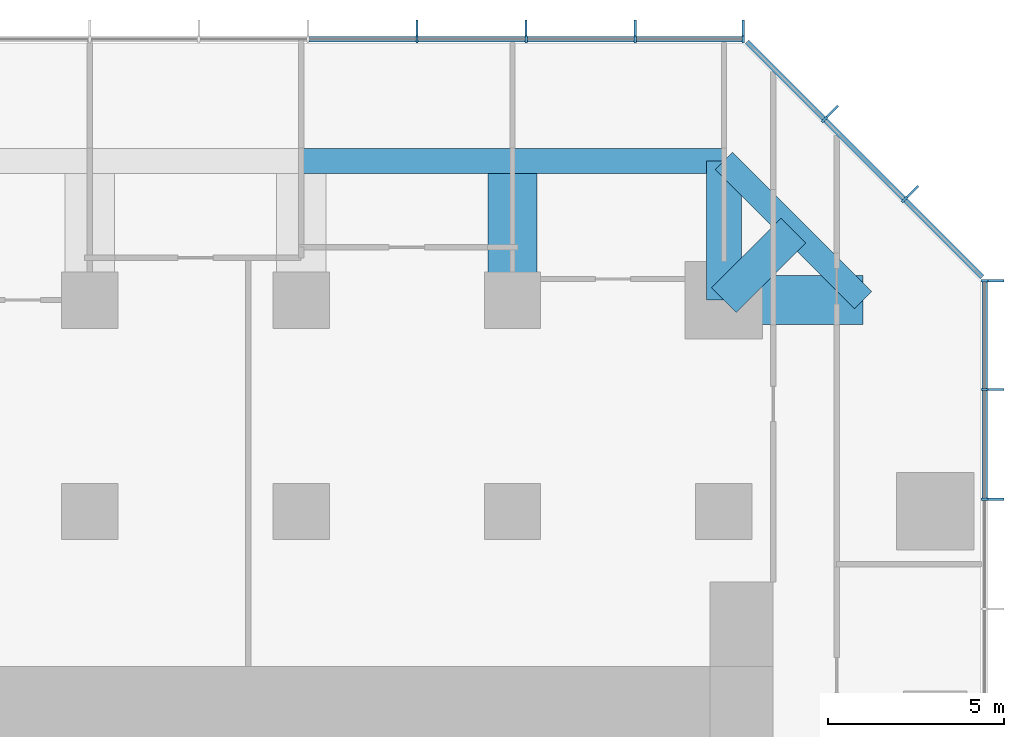
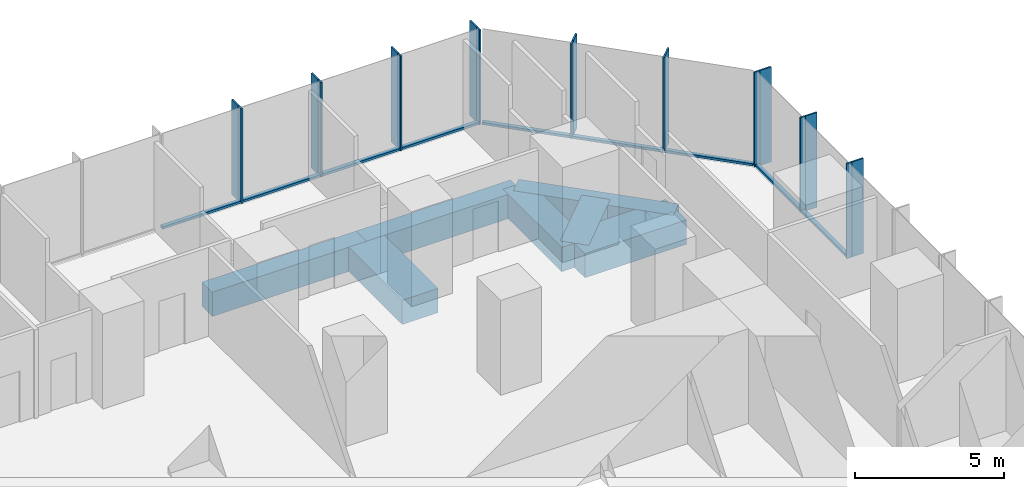
# One storey, part 6 of 12: 27 members, 7 beams, 3 elements without a shape of their own.
"""IFC4 building model written with IfcOpenShell, lengths in metres."""

from ifc_helpers import new_model, si_unit, direction, frame, origin, origin_2d, place, context, subcontext, project, spatial, rectangle, extrude, material, layer, layer_set, material_profile, profile_set, type_object, element, aggregate, save


model = new_model("IFC4")

# Units and contexts
model_context = context("Model", 3, precision=1e-05, world=origin(), true_north=direction((0.0, 1.0)))
body_context = subcontext(model_context, "Body", "Model", "MODEL_VIEW")
ifc_project = project(units=[si_unit("LENGTHUNIT", "METRE"), si_unit("AREAUNIT", "SQUARE_METRE"), si_unit("VOLUMEUNIT", "CUBIC_METRE"), si_unit("PLANEANGLEUNIT", "RADIAN"), si_unit("MASSUNIT", "GRAM", prefix="KILO")], contexts=[model_context])

# Site, building, storey
site_placement = place(None, origin())
site = spatial("IfcSite", under=ifc_project, at=site_placement, CompositionType="ELEMENT")
building_placement = place(site_placement, origin())
building = spatial("IfcBuilding", under=site, at=building_placement, Name="Highveld Stack Headquarters", CompositionType="ELEMENT")
storey_placement = place(building_placement, frame((0.0, 0.0, 101.60009765625)))
storey = spatial("IfcBuildingStorey", under=building, at=storey_placement, Name="L24", CompositionType="ELEMENT", Elevation=101.60009765625)

# Beams
ifc_material_1 = material(Name="Concrete C60/75", Category="concrete")
ifc_material_profile_1 = material_profile(ifc_material_1, rectangle(XDim=1.0, YDim=1.0, at=origin_2d()), Name="RC 1000x1000")
ifc_profile_set_1 = profile_set([ifc_material_profile_1], Name="Concrete C60/75")
beam_type_1 = type_object("IfcBeamType", Name="CANTILEVER RIB RC 1000x1000", PredefinedType="USERDEFINED", material=ifc_profile_set_1)
beam_1_placement = place(storey_placement, frame((18.0, 24.0, -0.75), z_axis=(0.0, 1.0, 0.0), x_axis=(-1.0, 0.0, 0.0)))
element("IfcBeam", 1, at=beam_1_placement, inside=storey, type_object=beam_type_1, Name="Cantilever rib 9/J L24", ObjectType="CANTILEVER RIB", PredefinedType="USERDEFINED", context=body_context, shape_type="SweptSolid", body=[
    extrude(rectangle(XDim=1.0, YDim=1.0, at=origin_2d()), origin(), (0.0, 0.0, 1.0), 3.949951171875),
])
beam_2_placement = place(storey_placement, frame((18.0, 24.0, -0.75), z_axis=(0.707106781187, 0.707106781187, 0.0), x_axis=(-0.707106781187, 0.707106781187, 0.0)))
element("IfcBeam", 2, at=beam_2_placement, inside=storey, type_object=beam_type_1, Name="Cantilever rib 9/J L24", ObjectType="CANTILEVER RIB", PredefinedType="USERDEFINED", context=body_context, shape_type="SweptSolid", body=[
    extrude(rectangle(XDim=1.0, YDim=1.0, at=origin_2d()), origin(), (0.0, 0.0, 1.0), 2.793212890625),
])
ifc_material_2 = material(Name="Concrete C60/75", Category="concrete")
ifc_material_profile_2 = material_profile(ifc_material_2, rectangle(XDim=1.39990234375, YDim=1.0, at=origin_2d()), Name="RC 1400x1000")
ifc_profile_set_2 = profile_set([ifc_material_profile_2], Name="Concrete C60/75")
beam_type_2 = type_object("IfcBeamType", Name="CANTILEVER RIB RC 1400x1000", PredefinedType="USERDEFINED", material=ifc_profile_set_2)
for number, where, z_axis, x_axis, name in (
    (3, (12.0, 24.0, -0.75), (0.0, 1.0, 0.0), (-1.0, 0.0, 0.0), "Cantilever rib 8/J L24"),
    (4, (18.0, 24.0, -0.75), (1.0, 0.0, 0.0), (0.0, 1.0, 0.0), "Cantilever rib 9/J L24"),
):
    element("IfcBeam", number, at=place(storey_placement, frame(where, z_axis=z_axis, x_axis=x_axis)), inside=storey, type_object=beam_type_2, Name=name, ObjectType="CANTILEVER RIB", PredefinedType="USERDEFINED", context=body_context, shape_type="SweptSolid", body=[
        extrude(rectangle(XDim=1.39990234375, YDim=1.0, at=origin_2d()), origin(), (0.0, 0.0, 1.0), 3.949951171875),
    ])

# Curtain wall, members
ifc_material_3 = material(Name="Aluminium bronze anodised", Category="aluminium")
ifc_layer_1 = layer(ifc_material_3, 0.199951171875)
ifc_layer_set_1 = layer_set([ifc_layer_1], Name="Aluminium bronze anodised")
curtain_wall_type_1 = type_object("IfcCurtainWallType", Name="CW1 TOWER UNITISED CURTAIN WALL", PredefinedType="NOTDEFINED", material=ifc_layer_set_1)
curtain_wall_1_placement = place(storey_placement, origin())
curtain_wall_1 = element("IfcCurtainWall", 5, at=curtain_wall_1_placement, inside=storey, type_object=curtain_wall_type_1, Name="Curtain wall CW1 L24 E", PredefinedType="NOTDEFINED")
ifc_material_4 = material(Name="Aluminium bronze anodised", Category="aluminium")
ifc_material_profile_3 = material_profile(ifc_material_4, rectangle(XDim=0.449951171875, YDim=0.06005859375, at=origin_2d()), Name="FIN 450x60")
ifc_profile_set_3 = profile_set([ifc_material_profile_3], Name="Aluminium bronze anodised")
member_type_1 = type_object("IfcMemberType", Name="CW1 BRONZE FIN 450x60", PredefinedType="USERDEFINED", material=ifc_profile_set_3)
member_1_placement = place(storey_placement, frame((25.72509765625, 18.347900390625, 0.0), z_axis=(0.0, 0.0, 1.0), x_axis=(-1.0, 0.0, 0.0)))
member_1 = element("IfcMember", 6, at=member_1_placement, type_object=member_type_1, Name="CW1 fin L24 9", ObjectType="FIN", PredefinedType="USERDEFINED", context=body_context, shape_type="SweptSolid", body=[
    extrude(rectangle(XDim=0.449951171875, YDim=0.06005859375, at=origin_2d()), origin(), (0.0, 0.0, 1.0), 3.89990234375),
])
member_2_placement = place(storey_placement, frame((25.72509765625, 21.4638671875, 0.0), z_axis=(0.0, 0.0, 1.0), x_axis=(-1.0, 0.0, 0.0)))
member_2 = element("IfcMember", 7, at=member_2_placement, type_object=member_type_1, Name="CW1 fin L24 10", ObjectType="FIN", PredefinedType="USERDEFINED", context=body_context, shape_type="SweptSolid", body=[
    extrude(rectangle(XDim=0.449951171875, YDim=0.06005859375, at=origin_2d()), origin(), (0.0, 0.0, 1.0), 3.89990234375),
])
member_3_placement = place(storey_placement, frame((25.72509765625, 24.54736328125, 0.0), z_axis=(0.0, 0.0, 1.0), x_axis=(-1.0, 0.0, 0.0)))
member_3 = element("IfcMember", 8, at=member_3_placement, type_object=member_type_1, Name="CW1 fin L24 11", ObjectType="FIN", PredefinedType="USERDEFINED", context=body_context, shape_type="SweptSolid", body=[
    extrude(rectangle(XDim=0.449951171875, YDim=0.06005859375, at=origin_2d()), origin(), (0.0, 0.0, 1.0), 3.89990234375),
])

curtain_wall_2_placement = place(storey_placement, origin())
curtain_wall_2 = element("IfcCurtainWall", 9, at=curtain_wall_2_placement, inside=storey, type_object=curtain_wall_type_1, Name="Curtain wall CW1 L24 N", PredefinedType="NOTDEFINED")
member_4_placement = place(storey_placement, frame((18.54736328125, 31.72509765625, 0.0), z_axis=(0.0, 0.0, 1.0), x_axis=(0.0, -1.0, 0.0)))
member_4 = element("IfcMember", 10, at=member_4_placement, type_object=member_type_1, Name="CW1 fin L24 1", ObjectType="FIN", PredefinedType="USERDEFINED", context=body_context, shape_type="SweptSolid", body=[
    extrude(rectangle(XDim=0.449951171875, YDim=0.06005859375, at=origin_2d()), origin(), (0.0, 0.0, 1.0), 3.89990234375),
])
member_5_placement = place(storey_placement, frame((15.483154296875, 31.72509765625, 0.0), z_axis=(0.0, 0.0, 1.0), x_axis=(0.0, -1.0, 0.0)))
member_5 = element("IfcMember", 11, at=member_5_placement, type_object=member_type_1, Name="CW1 fin L24 2", ObjectType="FIN", PredefinedType="USERDEFINED", context=body_context, shape_type="SweptSolid", body=[
    extrude(rectangle(XDim=0.449951171875, YDim=0.06005859375, at=origin_2d()), origin(), (0.0, 0.0, 1.0), 3.89990234375),
])
member_6_placement = place(storey_placement, frame((12.38671875, 31.72509765625, 0.0), z_axis=(0.0, 0.0, 1.0), x_axis=(0.0, -1.0, 0.0)))
member_6 = element("IfcMember", 12, at=member_6_placement, type_object=member_type_1, Name="CW1 fin L24 3", ObjectType="FIN", PredefinedType="USERDEFINED", context=body_context, shape_type="SweptSolid", body=[
    extrude(rectangle(XDim=0.449951171875, YDim=0.06005859375, at=origin_2d()), origin(), (0.0, 0.0, 1.0), 3.89990234375),
])
member_7_placement = place(storey_placement, frame((9.289794921875, 31.72509765625, 0.0), z_axis=(0.0, 0.0, 1.0), x_axis=(0.0, -1.0, 0.0)))
member_7 = element("IfcMember", 13, at=member_7_placement, type_object=member_type_1, Name="CW1 fin L24 4", ObjectType="FIN", PredefinedType="USERDEFINED", context=body_context, shape_type="SweptSolid", body=[
    extrude(rectangle(XDim=0.449951171875, YDim=0.06005859375, at=origin_2d()), origin(), (0.0, 0.0, 1.0), 3.89990234375),
])

# Member
ifc_material_5 = material(Name="Aluminium bronze anodised", Category="aluminium")
ifc_material_profile_4 = material_profile(ifc_material_5, rectangle(XDim=0.199951171875, YDim=0.06494140625, at=origin_2d()), Name="CW1 MULLION 65x200")
ifc_profile_set_4 = profile_set([ifc_material_profile_4], Name="Aluminium bronze anodised")
member_type_2 = type_object("IfcMemberType", Name="CW1 MULLION 65x200", PredefinedType="MULLION", material=ifc_profile_set_4)
member_8_placement = place(storey_placement, frame((25.39990234375, 18.347900390625, 0.0), z_axis=(0.0, 0.0, 1.0), x_axis=(-1.0, 0.0, 0.0)))
member_8 = element("IfcMember", 14, at=member_8_placement, type_object=member_type_2, Name="CW1 mullion L24 9", PredefinedType="MULLION", context=body_context, shape_type="SweptSolid", body=[
    extrude(rectangle(XDim=0.199951171875, YDim=0.06494140625, at=origin_2d()), origin(), (0.0, 0.0, 1.0), 3.89990234375),
])

member_9_placement = place(storey_placement, frame((25.39990234375, 21.4638671875, 0.0), z_axis=(0.0, 0.0, 1.0), x_axis=(-1.0, 0.0, 0.0)))
member_9 = element("IfcMember", 15, at=member_9_placement, type_object=member_type_2, Name="CW1 mullion L24 10", PredefinedType="MULLION", context=body_context, shape_type="SweptSolid", body=[
    extrude(rectangle(XDim=0.199951171875, YDim=0.06494140625, at=origin_2d()), origin(), (0.0, 0.0, 1.0), 3.89990234375),
])

member_10_placement = place(storey_placement, frame((25.39990234375, 24.54736328125, 0.0), z_axis=(0.0, 0.0, 1.0), x_axis=(-1.0, 0.0, 0.0)))
member_10 = element("IfcMember", 16, at=member_10_placement, type_object=member_type_2, Name="CW1 mullion L24 11", PredefinedType="MULLION", context=body_context, shape_type="SweptSolid", body=[
    extrude(rectangle(XDim=0.199951171875, YDim=0.06494140625, at=origin_2d()), origin(), (0.0, 0.0, 1.0), 3.89990234375),
])

member_11_placement = place(storey_placement, frame((18.54736328125, 31.39990234375, 0.0), z_axis=(0.0, 0.0, 1.0), x_axis=(0.0, -1.0, 0.0)))
member_11 = element("IfcMember", 17, at=member_11_placement, type_object=member_type_2, Name="CW1 mullion L24 1", PredefinedType="MULLION", context=body_context, shape_type="SweptSolid", body=[
    extrude(rectangle(XDim=0.199951171875, YDim=0.06494140625, at=origin_2d()), origin(), (0.0, 0.0, 1.0), 3.89990234375),
])

member_12_placement = place(storey_placement, frame((15.483154296875, 31.39990234375, 0.0), z_axis=(0.0, 0.0, 1.0), x_axis=(0.0, -1.0, 0.0)))
member_12 = element("IfcMember", 18, at=member_12_placement, type_object=member_type_2, Name="CW1 mullion L24 2", PredefinedType="MULLION", context=body_context, shape_type="SweptSolid", body=[
    extrude(rectangle(XDim=0.199951171875, YDim=0.06494140625, at=origin_2d()), origin(), (0.0, 0.0, 1.0), 3.89990234375),
])

member_13_placement = place(storey_placement, frame((12.38671875, 31.39990234375, 0.0), z_axis=(0.0, 0.0, 1.0), x_axis=(0.0, -1.0, 0.0)))
member_13 = element("IfcMember", 19, at=member_13_placement, type_object=member_type_2, Name="CW1 mullion L24 3", PredefinedType="MULLION", context=body_context, shape_type="SweptSolid", body=[
    extrude(rectangle(XDim=0.199951171875, YDim=0.06494140625, at=origin_2d()), origin(), (0.0, 0.0, 1.0), 3.89990234375),
])

member_14_placement = place(storey_placement, frame((9.289794921875, 31.39990234375, 0.0), z_axis=(0.0, 0.0, 1.0), x_axis=(0.0, -1.0, 0.0)))
member_14 = element("IfcMember", 20, at=member_14_placement, type_object=member_type_2, Name="CW1 mullion L24 4", PredefinedType="MULLION", context=body_context, shape_type="SweptSolid", body=[
    extrude(rectangle(XDim=0.199951171875, YDim=0.06494140625, at=origin_2d()), origin(), (0.0, 0.0, 1.0), 3.89990234375),
])

ifc_material_6 = material(Name="Aluminium bronze anodised", Category="aluminium")
ifc_material_profile_5 = material_profile(ifc_material_6, rectangle(XDim=0.14990234375, YDim=0.10009765625, at=origin_2d()), Name="CW1 TRANSOM 150x100")
ifc_profile_set_5 = profile_set([ifc_material_profile_5], Name="Aluminium bronze anodised")
member_type_3 = type_object("IfcMemberType", Name="CW1 STACK TRANSOM 150x100", PredefinedType="USERDEFINED", material=ifc_profile_set_5)
member_15_placement = place(storey_placement, frame((25.39990234375, 18.38037109375, 0.0498046875), z_axis=(0.0, 1.0, 0.0), x_axis=(-1.0, 0.0, 0.0)))
member_15 = element("IfcMember", 21, at=member_15_placement, type_object=member_type_3, Name="CW1 transom L24 9.1", ObjectType="TRANSOM", PredefinedType="USERDEFINED", context=body_context, shape_type="SweptSolid", body=[
    extrude(rectangle(XDim=0.14990234375, YDim=0.10009765625, at=origin_2d()), origin(), (0.0, 0.0, 1.0), 3.051025390625),
])

member_16_placement = place(storey_placement, frame((25.39990234375, 21.496337890625, 0.0498046875), z_axis=(0.0, 1.0, 0.0), x_axis=(-1.0, 0.0, 0.0)))
member_16 = element("IfcMember", 22, at=member_16_placement, type_object=member_type_3, Name="CW1 transom L24 10.1", ObjectType="TRANSOM", PredefinedType="USERDEFINED", context=body_context, shape_type="SweptSolid", body=[
    extrude(rectangle(XDim=0.14990234375, YDim=0.10009765625, at=origin_2d()), origin(), (0.0, 0.0, 1.0), 3.0185546875),
])

aggregate(curtain_wall_1, [member_8, member_1, member_9, member_2, member_10, member_3, member_15, member_16])

member_17_placement = place(storey_placement, frame((18.514892578125, 31.39990234375, 0.0498046875), z_axis=(-1.0, 0.0, 0.0), x_axis=(0.0, -1.0, 0.0)))
member_17 = element("IfcMember", 23, at=member_17_placement, type_object=member_type_3, Name="CW1 transom L24 1.1", ObjectType="TRANSOM", PredefinedType="USERDEFINED", context=body_context, shape_type="SweptSolid", body=[
    extrude(rectangle(XDim=0.14990234375, YDim=0.10009765625, at=origin_2d()), origin(), (0.0, 0.0, 1.0), 2.999267578125),
])

member_18_placement = place(storey_placement, frame((15.45068359375, 31.39990234375, 0.0498046875), z_axis=(-1.0, 0.0, 0.0), x_axis=(0.0, -1.0, 0.0)))
member_18 = element("IfcMember", 24, at=member_18_placement, type_object=member_type_3, Name="CW1 transom L24 2.1", ObjectType="TRANSOM", PredefinedType="USERDEFINED", context=body_context, shape_type="SweptSolid", body=[
    extrude(rectangle(XDim=0.14990234375, YDim=0.10009765625, at=origin_2d()), origin(), (0.0, 0.0, 1.0), 3.031494140625),
])

member_19_placement = place(storey_placement, frame((12.35400390625, 31.39990234375, 0.0498046875), z_axis=(-1.0, 0.0, 0.0), x_axis=(0.0, -1.0, 0.0)))
member_19 = element("IfcMember", 25, at=member_19_placement, type_object=member_type_3, Name="CW1 transom L24 3.1", ObjectType="TRANSOM", PredefinedType="USERDEFINED", context=body_context, shape_type="SweptSolid", body=[
    extrude(rectangle(XDim=0.14990234375, YDim=0.10009765625, at=origin_2d()), origin(), (0.0, 0.0, 1.0), 3.031494140625),
])

member_20_placement = place(storey_placement, frame((9.25732421875, 31.39990234375, 0.0498046875), z_axis=(-1.0, 0.0, 0.0), x_axis=(0.0, -1.0, 0.0)))
member_20 = element("IfcMember", 26, at=member_20_placement, type_object=member_type_3, Name="CW1 transom L24 4.1", ObjectType="TRANSOM", PredefinedType="USERDEFINED", context=body_context, shape_type="SweptSolid", body=[
    extrude(rectangle(XDim=0.14990234375, YDim=0.10009765625, at=origin_2d()), origin(), (0.0, 0.0, 1.0), 3.031494140625),
])

aggregate(curtain_wall_2, [member_11, member_4, member_12, member_5, member_13, member_6, member_14, member_7, member_17, member_18, member_19, member_20])

# Curtain wall, members
ifc_material_7 = material(Name="Aluminium bronze anodised", Category="aluminium")
ifc_layer_2 = layer(ifc_material_7, 0.199951171875)
ifc_layer_set_2 = layer_set([ifc_layer_2], Name="Aluminium bronze anodised")
curtain_wall_type_2 = type_object("IfcCurtainWallType", Name="CW2 TOWER CHAMFER UNITISED CURTAIN WALL", PredefinedType="NOTDEFINED", material=ifc_layer_set_2)
curtain_wall_3_placement = place(storey_placement, origin())
curtain_wall_3 = element("IfcCurtainWall", 27, at=curtain_wall_3_placement, inside=storey, type_object=curtain_wall_type_2, Name="Curtain wall CW2 L24 NE", PredefinedType="NOTDEFINED")
ifc_material_8 = material(Name="Aluminium bronze anodised", Category="aluminium")
ifc_material_profile_6 = material_profile(ifc_material_8, rectangle(XDim=0.449951171875, YDim=0.06005859375, at=origin_2d()), Name="FIN 450x60")
ifc_profile_set_6 = profile_set([ifc_material_profile_6], Name="Aluminium bronze anodised")
member_type_4 = type_object("IfcMemberType", Name="CW2 BRONZE FIN 450x60", PredefinedType="USERDEFINED", material=ifc_profile_set_6)
member_21_placement = place(storey_placement, frame((23.3564453125, 27.0830078125, 0.0), z_axis=(0.0, 0.0, 1.0), x_axis=(-0.707106781187, -0.707106781187, 0.0)))
member_21 = element("IfcMember", 28, at=member_21_placement, type_object=member_type_4, Name="CW2 fin L24 1", ObjectType="FIN", PredefinedType="USERDEFINED", context=body_context, shape_type="SweptSolid", body=[
    extrude(rectangle(XDim=0.449951171875, YDim=0.06005859375, at=origin_2d()), origin(), (0.0, 0.0, 1.0), 3.89990234375),
])
member_22_placement = place(storey_placement, frame((21.0830078125, 29.3564453125, 0.0), z_axis=(0.0, 0.0, 1.0), x_axis=(-0.707106781187, -0.707106781187, 0.0)))
member_22 = element("IfcMember", 29, at=member_22_placement, type_object=member_type_4, Name="CW2 fin L24 2", ObjectType="FIN", PredefinedType="USERDEFINED", context=body_context, shape_type="SweptSolid", body=[
    extrude(rectangle(XDim=0.449951171875, YDim=0.06005859375, at=origin_2d()), origin(), (0.0, 0.0, 1.0), 3.89990234375),
])
ifc_material_9 = material(Name="Aluminium bronze anodised", Category="aluminium")
ifc_material_profile_7 = material_profile(ifc_material_9, rectangle(XDim=0.199951171875, YDim=0.06494140625, at=origin_2d()), Name="CW2 MULLION 65x200")
ifc_profile_set_7 = profile_set([ifc_material_profile_7], Name="Aluminium bronze anodised")
member_type_5 = type_object("IfcMemberType", Name="CW2 MULLION 65x200", PredefinedType="MULLION", material=ifc_profile_set_7)
member_23_placement = place(storey_placement, frame((23.126708984375, 26.853271484375, 0.0), z_axis=(0.0, 0.0, 1.0), x_axis=(-0.707106781187, -0.707106781187, 0.0)))
member_23 = element("IfcMember", 30, at=member_23_placement, type_object=member_type_5, Name="CW2 mullion L24 1", PredefinedType="MULLION", context=body_context, shape_type="SweptSolid", body=[
    extrude(rectangle(XDim=0.199951171875, YDim=0.06494140625, at=origin_2d()), origin(), (0.0, 0.0, 1.0), 3.89990234375),
])
member_24_placement = place(storey_placement, frame((20.853271484375, 29.126708984375, 0.0), z_axis=(0.0, 0.0, 1.0), x_axis=(-0.707106781187, -0.707106781187, 0.0)))
member_24 = element("IfcMember", 31, at=member_24_placement, type_object=member_type_5, Name="CW2 mullion L24 2", PredefinedType="MULLION", context=body_context, shape_type="SweptSolid", body=[
    extrude(rectangle(XDim=0.199951171875, YDim=0.06494140625, at=origin_2d()), origin(), (0.0, 0.0, 1.0), 3.89990234375),
])
ifc_material_10 = material(Name="Aluminium bronze anodised", Category="aluminium")
ifc_material_profile_8 = material_profile(ifc_material_10, rectangle(XDim=0.14990234375, YDim=0.10009765625, at=origin_2d()), Name="CW2 TRANSOM 150x100")
ifc_profile_set_8 = profile_set([ifc_material_profile_8], Name="Aluminium bronze anodised")
member_type_6 = type_object("IfcMemberType", Name="CW2 STACK TRANSOM 150x100", PredefinedType="USERDEFINED", material=ifc_profile_set_8)
member_25_placement = place(storey_placement, frame((25.329345703125, 24.650634765625, 0.0498046875), z_axis=(-0.707106781187, 0.707106781187, 0.0), x_axis=(-0.707106781187, -0.707106781187, 0.0)))
member_25 = element("IfcMember", 32, at=member_25_placement, type_object=member_type_6, Name="CW2 transom L24 1.1", ObjectType="TRANSOM", PredefinedType="USERDEFINED", context=body_context, shape_type="SweptSolid", body=[
    extrude(rectangle(XDim=0.14990234375, YDim=0.10009765625, at=origin_2d()), origin(), (0.0, 0.0, 1.0), 3.08251953125),
])
member_26_placement = place(storey_placement, frame((23.103759765625, 26.876220703125, 0.0498046875), z_axis=(-0.707106781187, 0.707106781187, 0.0), x_axis=(-0.707106781187, -0.707106781187, 0.0)))
member_26 = element("IfcMember", 33, at=member_26_placement, type_object=member_type_6, Name="CW2 transom L24 2.1", ObjectType="TRANSOM", PredefinedType="USERDEFINED", context=body_context, shape_type="SweptSolid", body=[
    extrude(rectangle(XDim=0.14990234375, YDim=0.10009765625, at=origin_2d()), origin(), (0.0, 0.0, 1.0), 3.150146484375),
])
member_27_placement = place(storey_placement, frame((20.830322265625, 29.149658203125, 0.0498046875), z_axis=(-0.707106781187, 0.707106781187, 0.0), x_axis=(-0.707106781187, -0.707106781187, 0.0)))
member_27 = element("IfcMember", 34, at=member_27_placement, type_object=member_type_6, Name="CW2 transom L24 3.1", ObjectType="TRANSOM", PredefinedType="USERDEFINED", context=body_context, shape_type="SweptSolid", body=[
    extrude(rectangle(XDim=0.14990234375, YDim=0.10009765625, at=origin_2d()), origin(), (0.0, 0.0, 1.0), 3.08251953125),
])
aggregate(curtain_wall_3, [member_23, member_21, member_24, member_22, member_25, member_26, member_27])

# Beams
ifc_material_11 = material(Name="Concrete C60/75", Category="concrete")
ifc_material_profile_9 = material_profile(ifc_material_11, rectangle(XDim=0.699951171875, YDim=1.0, at=origin_2d()), Name="RC 700x1000")
ifc_profile_set_9 = profile_set([ifc_material_profile_9], Name="Concrete C60/75")
beam_type_3 = type_object("IfcBeamType", Name="RIB TIP BEAM RC 700x1000", PredefinedType="SPANDREL", material=ifc_profile_set_9)
for number, where, z_axis, x_axis, name in (
    (35, (6.0, 27.949951171875, -0.75), (1.0, 0.0, 0.0), (0.0, 1.0, 0.0), "Rib tip beam 7/J to 8/J L24"),
    (36, (12.0, 27.949951171875, -0.75), (1.0, 0.0, 0.0), (0.0, 1.0, 0.0), "Rib tip beam 8/J to 9/J L24"),
):
    element("IfcBeam", number, at=place(storey_placement, frame(where, z_axis=z_axis, x_axis=x_axis)), inside=storey, type_object=beam_type_3, Name=name, PredefinedType="SPANDREL", context=body_context, shape_type="SweptSolid", body=[
        extrude(rectangle(XDim=0.699951171875, YDim=1.0, at=origin_2d()), origin(), (0.0, 0.0, 1.0), 6.0),
    ])
beam_3_placement = place(storey_placement, frame((21.949951171875, 24.0, -0.75), z_axis=(-0.707106781187, 0.707106781187, 0.0), x_axis=(-0.707106781187, -0.707106781187, 0.0)))
element("IfcBeam", 37, at=beam_3_placement, inside=storey, type_object=beam_type_3, Name="Rib tip beam 9/J corner L24", PredefinedType="SPANDREL", context=body_context, shape_type="SweptSolid", body=[
    extrude(rectangle(XDim=0.699951171875, YDim=1.0, at=origin_2d()), origin(), (0.0, 0.0, 1.0), 5.586181640625),
])

save(model, "model.ifc")
